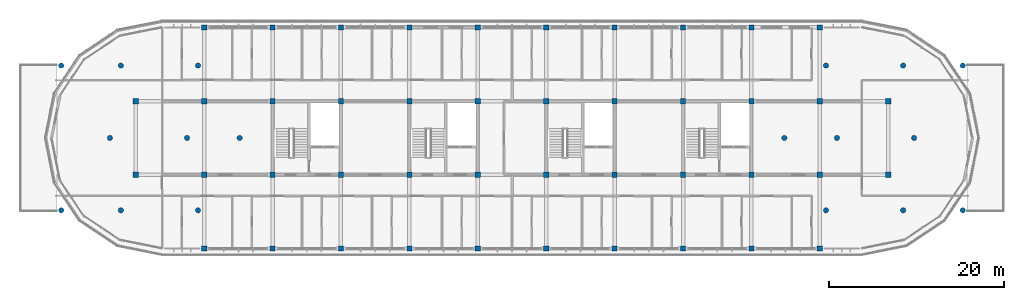
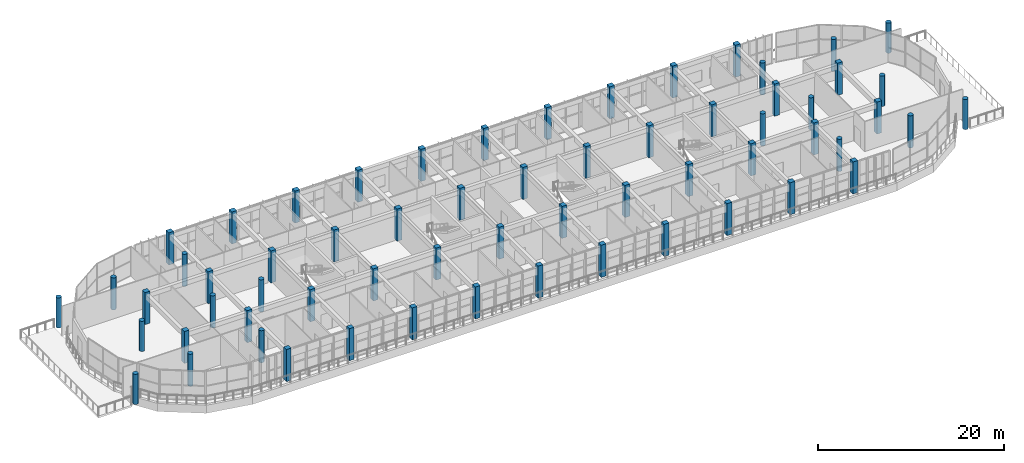
# One storey, part 1 of 56: 62 columns.
"""IFC4 building model written with IfcOpenShell, lengths in metres."""

from ifc_helpers import new_model, si_unit, direction, frame, origin, origin_2d, place, context, subcontext, project, spatial, rectangle, circle, extrude, material, material_profile, profile_set, type_object, element, save


model = new_model("IFC4")

# Units and contexts
model_context = context("Model", 3, precision=1e-05, world=origin(), true_north=direction((0.0, 1.0)))
body_context = subcontext(model_context, "Body", "Model", "MODEL_VIEW")
ifc_project = project(units=[si_unit("LENGTHUNIT", "METRE"), si_unit("AREAUNIT", "SQUARE_METRE"), si_unit("VOLUMEUNIT", "CUBIC_METRE"), si_unit("PLANEANGLEUNIT", "RADIAN"), si_unit("MASSUNIT", "GRAM", prefix="KILO")], contexts=[model_context])

# Site, building, storey
site_placement = place(None, origin())
site = spatial("IfcSite", under=ifc_project, at=site_placement, CompositionType="ELEMENT")
building_placement = place(site_placement, origin())
building = spatial("IfcBuilding", under=site, at=building_placement, Name="Zizhar Promenade General Hospital", CompositionType="ELEMENT")
storey_placement = place(building_placement, frame((0.0, 0.0, 26.39990234375)))
storey = spatial("IfcBuildingStorey", under=building, at=storey_placement, Name="L06", CompositionType="ELEMENT", Elevation=26.39990234375)

# Columns
ifc_material_1 = material(Name="Concrete C40/50", Category="concrete")
ifc_material_profile_1 = material_profile(ifc_material_1, circle(Radius=0.300048828125, at=origin_2d()))
ifc_profile_set_1 = profile_set([ifc_material_profile_1], Name="Concrete C40/50")
column_type_1 = type_object("IfcColumnType", Name="COL-CIRC-600", PredefinedType="PILASTER", material=ifc_profile_set_1)
for number, where, z_axis, x_axis, name in (
    (1, (22.699951171875, 4.35009765625, 0.0), (0.0, 0.0, 1.0), (1.0, 0.0, 0.0), "Ward Terrace Interior Support Column L07-W0 (L06)"),
    (2, (22.699951171875, 20.85009765625, 0.0), (0.0, 0.0, 1.0), (1.0, 0.0, 0.0), "Ward Terrace Interior Support Column L07-W1 (L06)"),
    (3, (28.25, 12.60009765625, 0.0), (0.0, 0.0, 1.0), (1.0, 0.0, 0.0), "Ward Terrace Interior Support Column L07-W2 (L06)"),
    (4, (125.5, 4.35009765625, 0.0), (0.0, 0.0, 1.0), (1.0, 0.0, 0.0), "Ward Terrace Interior Support Column L07-E0 (L06)"),
    (5, (125.5, 20.85009765625, 0.0), (0.0, 0.0, 1.0), (1.0, 0.0, 0.0), "Ward Terrace Interior Support Column L07-E1 (L06)"),
    (6, (119.949951171875, 12.60009765625, 0.0), (0.0, 0.0, 1.0), (1.0, 0.0, 0.0), "Ward Terrace Interior Support Column L07-E2 (L06)"),
):
    element("IfcColumn", number, at=place(storey_placement, frame(where, z_axis=z_axis, x_axis=x_axis)), inside=storey, type_object=column_type_1, Name=name, PredefinedType="PILASTER", context=body_context, shape_type="SweptSolid", body=[
        extrude(circle(Radius=0.300048828125, at=origin_2d()), origin(), (0.0, 0.0, 1.0), 3.9501953125),
    ])
for number, where, z_axis, x_axis, name in (
    (7, (29.5, 4.35009765625, 0.0), (0.0, 0.0, 1.0), (1.0, 0.0, 0.0), "Ward Terrace Interior Support Column L08-W0 (L06)"),
    (8, (29.5, 20.85009765625, 0.0), (0.0, 0.0, 1.0), (1.0, 0.0, 0.0), "Ward Terrace Interior Support Column L08-W1 (L06)"),
    (9, (37.050048828125, 12.60009765625, 0.0), (0.0, 0.0, 1.0), (1.0, 0.0, 0.0), "Ward Terrace Interior Support Column L08-W2 (L06)"),
    (10, (118.699951171875, 4.35009765625, 0.0), (0.0, 0.0, 1.0), (1.0, 0.0, 0.0), "Ward Terrace Interior Support Column L08-E0 (L06)"),
    (11, (118.699951171875, 20.85009765625, 0.0), (0.0, 0.0, 1.0), (1.0, 0.0, 0.0), "Ward Terrace Interior Support Column L08-E1 (L06)"),
    (12, (111.14990234375, 12.60009765625, 0.0), (0.0, 0.0, 1.0), (1.0, 0.0, 0.0), "Ward Terrace Interior Support Column L08-E2 (L06)"),
    (13, (38.300048828125, 4.35009765625, 0.0), (0.0, 0.0, 1.0), (1.0, 0.0, 0.0), "Ward Terrace Interior Support Column L09-W0 (L06)"),
    (14, (38.300048828125, 20.85009765625, 0.0), (0.0, 0.0, 1.0), (1.0, 0.0, 0.0), "Ward Terrace Interior Support Column L09-W1 (L06)"),
    (15, (43.050048828125, 12.60009765625, 0.0), (0.0, 0.0, 1.0), (1.0, 0.0, 0.0), "Ward Terrace Interior Support Column L09-W2 (L06)"),
    (16, (109.89990234375, 4.35009765625, 0.0), (0.0, 0.0, 1.0), (1.0, 0.0, 0.0), "Ward Terrace Interior Support Column L09-E0 (L06)"),
    (17, (109.89990234375, 20.85009765625, 0.0), (0.0, 0.0, 1.0), (1.0, 0.0, 0.0), "Ward Terrace Interior Support Column L09-E1 (L06)"),
    (18, (105.14990234375, 12.60009765625, 0.0), (0.0, 0.0, 1.0), (1.0, 0.0, 0.0), "Ward Terrace Interior Support Column L09-E2 (L06)"),
):
    element("IfcColumn", number, at=place(storey_placement, frame(where, z_axis=z_axis, x_axis=x_axis)), inside=storey, type_object=column_type_1, Name=name, PredefinedType="PILASTER", context=body_context, shape_type="SweptSolid", body=[
        extrude(circle(Radius=0.300048828125, at=origin_2d()), origin(), (0.0, 0.0, 1.0), 4.2001953125),
    ])
ifc_material_2 = material(Name="Concrete C40/50", Category="concrete")
ifc_material_profile_2 = material_profile(ifc_material_2, rectangle(XDim=0.60009765625, YDim=0.60009765625, at=origin_2d()))
ifc_profile_set_2 = profile_set([ifc_material_profile_2], Name="Concrete C40/50")
column_type_2 = type_object("IfcColumnType", Name="COL-RC-600", PredefinedType="COLUMN", material=ifc_profile_set_2)
for number, where, z_axis, x_axis, name in (
    (19, (31.199951171875, 8.39990234375, 0.0), (0.0, 0.0, 1.0), (1.0, 0.0, 0.0), "Column 5-B (L06)"),
    (20, (31.199951171875, 16.800048828125, 0.0), (0.0, 0.0, 1.0), (1.0, 0.0, 0.0), "Column 5-C (L06)"),
    (21, (39.0, 0.0, 0.0), (0.0, 0.0, 1.0), (1.0, 0.0, 0.0), "Column 6-A (L06)"),
    (22, (39.0, 8.39990234375, 0.0), (0.0, 0.0, 1.0), (1.0, 0.0, 0.0), "Column 6-B (L06)"),
    (23, (39.0, 16.800048828125, 0.0), (0.0, 0.0, 1.0), (1.0, 0.0, 0.0), "Column 6-C (L06)"),
    (24, (39.0, 25.199951171875, 0.0), (0.0, 0.0, 1.0), (1.0, 0.0, 0.0), "Column 6-D (L06)"),
    (25, (46.800048828125, 0.0, 0.0), (0.0, 0.0, 1.0), (1.0, 0.0, 0.0), "Column 7-A (L06)"),
    (26, (46.800048828125, 8.39990234375, 0.0), (0.0, 0.0, 1.0), (1.0, 0.0, 0.0), "Column 7-B (L06)"),
    (27, (46.800048828125, 16.800048828125, 0.0), (0.0, 0.0, 1.0), (1.0, 0.0, 0.0), "Column 7-C (L06)"),
    (28, (46.800048828125, 25.199951171875, 0.0), (0.0, 0.0, 1.0), (1.0, 0.0, 0.0), "Column 7-D (L06)"),
    (29, (54.60009765625, 0.0, 0.0), (0.0, 0.0, 1.0), (1.0, 0.0, 0.0), "Column 8-A (L06)"),
    (30, (54.60009765625, 8.39990234375, 0.0), (0.0, 0.0, 1.0), (1.0, 0.0, 0.0), "Column 8-B (L06)"),
    (31, (54.60009765625, 16.800048828125, 0.0), (0.0, 0.0, 1.0), (1.0, 0.0, 0.0), "Column 8-C (L06)"),
    (32, (54.60009765625, 25.199951171875, 0.0), (0.0, 0.0, 1.0), (1.0, 0.0, 0.0), "Column 8-D (L06)"),
    (33, (62.39990234375, 0.0, 0.0), (0.0, 0.0, 1.0), (1.0, 0.0, 0.0), "Column 9-A (L06)"),
    (34, (62.39990234375, 8.39990234375, 0.0), (0.0, 0.0, 1.0), (1.0, 0.0, 0.0), "Column 9-B (L06)"),
    (35, (62.39990234375, 16.800048828125, 0.0), (0.0, 0.0, 1.0), (1.0, 0.0, 0.0), "Column 9-C (L06)"),
    (36, (62.39990234375, 25.199951171875, 0.0), (0.0, 0.0, 1.0), (1.0, 0.0, 0.0), "Column 9-D (L06)"),
    (37, (70.199951171875, 0.0, 0.0), (0.0, 0.0, 1.0), (1.0, 0.0, 0.0), "Column 10-A (L06)"),
    (38, (70.199951171875, 8.39990234375, 0.0), (0.0, 0.0, 1.0), (1.0, 0.0, 0.0), "Column 10-B (L06)"),
    (39, (70.199951171875, 16.800048828125, 0.0), (0.0, 0.0, 1.0), (1.0, 0.0, 0.0), "Column 10-C (L06)"),
    (40, (70.199951171875, 25.199951171875, 0.0), (0.0, 0.0, 1.0), (1.0, 0.0, 0.0), "Column 10-D (L06)"),
    (41, (78.0, 0.0, 0.0), (0.0, 0.0, 1.0), (1.0, 0.0, 0.0), "Column 11-A (L06)"),
    (42, (78.0, 8.39990234375, 0.0), (0.0, 0.0, 1.0), (1.0, 0.0, 0.0), "Column 11-B (L06)"),
    (43, (78.0, 16.800048828125, 0.0), (0.0, 0.0, 1.0), (1.0, 0.0, 0.0), "Column 11-C (L06)"),
    (44, (78.0, 25.199951171875, 0.0), (0.0, 0.0, 1.0), (1.0, 0.0, 0.0), "Column 11-D (L06)"),
    (45, (85.800048828125, 0.0, 0.0), (0.0, 0.0, 1.0), (1.0, 0.0, 0.0), "Column 12-A (L06)"),
    (46, (85.800048828125, 8.39990234375, 0.0), (0.0, 0.0, 1.0), (1.0, 0.0, 0.0), "Column 12-B (L06)"),
    (47, (85.800048828125, 16.800048828125, 0.0), (0.0, 0.0, 1.0), (1.0, 0.0, 0.0), "Column 12-C (L06)"),
    (48, (85.800048828125, 25.199951171875, 0.0), (0.0, 0.0, 1.0), (1.0, 0.0, 0.0), "Column 12-D (L06)"),
    (49, (93.60009765625, 0.0, 0.0), (0.0, 0.0, 1.0), (1.0, 0.0, 0.0), "Column 13-A (L06)"),
    (50, (93.60009765625, 8.39990234375, 0.0), (0.0, 0.0, 1.0), (1.0, 0.0, 0.0), "Column 13-B (L06)"),
    (51, (93.60009765625, 16.800048828125, 0.0), (0.0, 0.0, 1.0), (1.0, 0.0, 0.0), "Column 13-C (L06)"),
    (52, (93.60009765625, 25.199951171875, 0.0), (0.0, 0.0, 1.0), (1.0, 0.0, 0.0), "Column 13-D (L06)"),
    (53, (101.39990234375, 0.0, 0.0), (0.0, 0.0, 1.0), (1.0, 0.0, 0.0), "Column 14-A (L06)"),
    (54, (101.39990234375, 8.39990234375, 0.0), (0.0, 0.0, 1.0), (1.0, 0.0, 0.0), "Column 14-B (L06)"),
    (55, (101.39990234375, 16.800048828125, 0.0), (0.0, 0.0, 1.0), (1.0, 0.0, 0.0), "Column 14-C (L06)"),
    (56, (101.39990234375, 25.199951171875, 0.0), (0.0, 0.0, 1.0), (1.0, 0.0, 0.0), "Column 14-D (L06)"),
    (57, (109.199951171875, 0.0, 0.0), (0.0, 0.0, 1.0), (1.0, 0.0, 0.0), "Column 15-A (L06)"),
    (58, (109.199951171875, 8.39990234375, 0.0), (0.0, 0.0, 1.0), (1.0, 0.0, 0.0), "Column 15-B (L06)"),
    (59, (109.199951171875, 16.800048828125, 0.0), (0.0, 0.0, 1.0), (1.0, 0.0, 0.0), "Column 15-C (L06)"),
    (60, (109.199951171875, 25.199951171875, 0.0), (0.0, 0.0, 1.0), (1.0, 0.0, 0.0), "Column 15-D (L06)"),
    (61, (117.0, 8.39990234375, 0.0), (0.0, 0.0, 1.0), (1.0, 0.0, 0.0), "Column 16-B (L06)"),
    (62, (117.0, 16.800048828125, 0.0), (0.0, 0.0, 1.0), (1.0, 0.0, 0.0), "Column 16-C (L06)"),
):
    element("IfcColumn", number, at=place(storey_placement, frame(where, z_axis=z_axis, x_axis=x_axis)), inside=storey, type_object=column_type_2, Name=name, PredefinedType="COLUMN", context=body_context, shape_type="SweptSolid", body=[
        extrude(rectangle(XDim=0.60009765625, YDim=0.60009765625, at=origin_2d()), origin(), (0.0, 0.0, 1.0), 4.2001953125),
    ])

save(model, "model.ifc")
